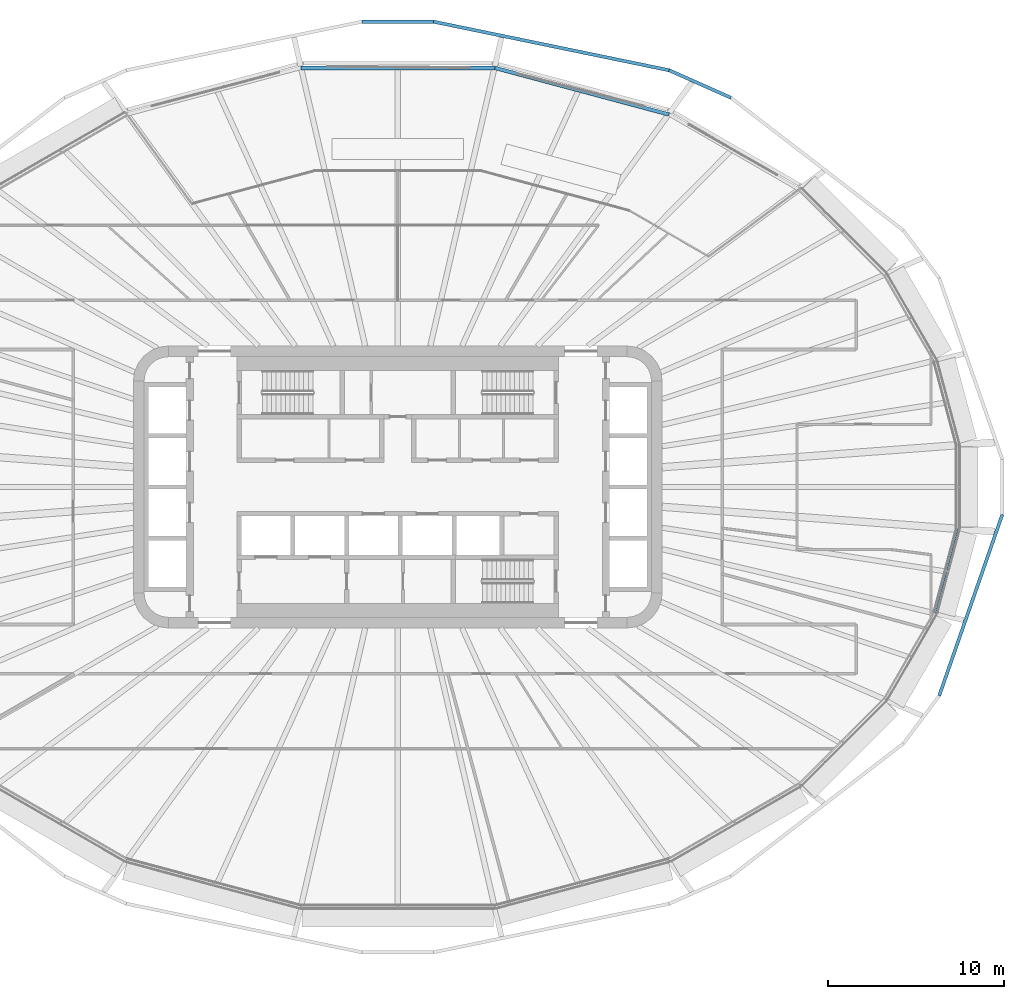
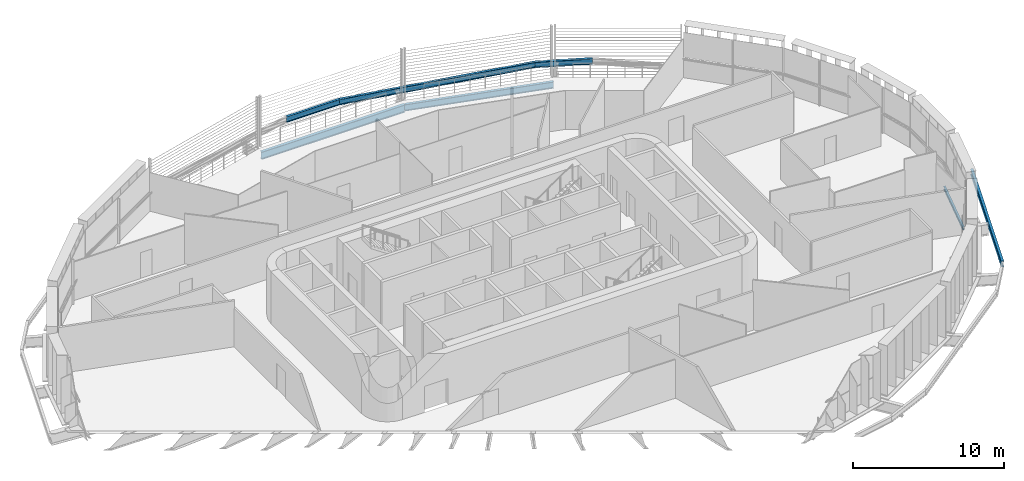
# One storey, part 10 of 24: 7 beams.
"""IFC4 building model written with IfcOpenShell, lengths in metres."""

from ifc_helpers import new_model, si_unit, direction, frame, origin, origin_2d, place, context, subcontext, project, spatial, i_section, extrude, material, material_profile, profile_set, type_object, element, save


model = new_model("IFC4")

# Units and contexts
model_context = context("Model", 3, precision=1e-05, world=origin(), true_north=direction((0.0, 1.0)))
body_context = subcontext(model_context, "Body", "Model", "MODEL_VIEW")
ifc_project = project(units=[si_unit("LENGTHUNIT", "METRE"), si_unit("AREAUNIT", "SQUARE_METRE"), si_unit("VOLUMEUNIT", "CUBIC_METRE"), si_unit("PLANEANGLEUNIT", "RADIAN"), si_unit("MASSUNIT", "GRAM", prefix="KILO")], contexts=[model_context])

# Site, building, storey
site_placement = place(None, origin())
site = spatial("IfcSite", under=ifc_project, at=site_placement, CompositionType="ELEMENT")
building_placement = place(site_placement, origin())
building = spatial("IfcBuilding", under=site, at=building_placement, Name="Sahrelin Media Tower", CompositionType="ELEMENT")
storey_placement = place(building_placement, frame((0.0, 0.0, 118.800048828125)))
storey = spatial("IfcBuildingStorey", under=building, at=storey_placement, Name="L23", CompositionType="ELEMENT", Elevation=118.800048828125)

# Beams
ifc_material = material(Name="Steel S355", Category="steel")
ifc_material_profile_1 = material_profile(ifc_material, i_section(OverallWidth=0.14599609375, OverallDepth=0.25146484375, WebThickness=0.006103515625, FlangeThickness=0.008544921875, FilletRadius=0.007568359375, at=origin_2d()), Name="UB 254x146x31")
ifc_profile_set_1 = profile_set([ifc_material_profile_1], Name="Steel S355")
beam_type_1 = type_object("IfcBeamType", Name="Edge beam EB1", PredefinedType="BEAM", material=ifc_profile_set_1)
beam_1_placement = place(storey_placement, frame((31.727783203125, -2.376708984375, -0.275634765625), z_axis=(-0.258784922699, -0.965934968714, 0.0), x_axis=(0.965934968714, -0.258784922699, 0.0)))
element("IfcBeam", 1, at=beam_1_placement, inside=storey, type_object=beam_type_1, Name="Edge beam L23-02", PredefinedType="BEAM", context=body_context, shape_type="SweptSolid", body=[
    extrude(i_section(OverallWidth=0.14599609375, OverallDepth=0.25146484375, WebThickness=0.006103515625, FlangeThickness=0.008544921875, FilletRadius=0.007568359375, at=origin_2d()), origin(), (0.0, 0.0, 1.0), 4.914306640625),
])
ifc_material_profile_2 = material_profile(ifc_material, i_section(OverallWidth=0.208740234375, OverallDepth=0.5283203125, WebThickness=0.009521484375, FlangeThickness=0.01318359375, FilletRadius=0.0126953125, at=origin_2d()), Name="UB 533x210x82")
ifc_profile_set_2 = profile_set([ifc_material_profile_2], Name="Steel S355")
beam_type_2 = type_object("IfcBeamType", Name="Edge beam EB6", PredefinedType="BEAM", material=ifc_profile_set_2)
beam_2_placement = place(storey_placement, frame((5.5146484375, 23.775146484375, -0.46435546875), z_axis=(0.965930023505, -0.258803380373, 0.0), x_axis=(0.258803380373, 0.965930023505, 0.0)))
element("IfcBeam", 2, at=beam_2_placement, inside=storey, type_object=beam_type_2, Name="Edge beam L23-20", PredefinedType="BEAM", context=body_context, shape_type="SweptSolid", body=[
    extrude(i_section(OverallWidth=0.208740234375, OverallDepth=0.5283203125, WebThickness=0.009521484375, FlangeThickness=0.01318359375, FilletRadius=0.0126953125, at=origin_2d()), origin(), (0.0, 0.0, 1.0), 10.215576171875),
])
ifc_material_profile_3 = material_profile(ifc_material, i_section(OverallWidth=0.2275390625, OverallDepth=0.6025390625, WebThickness=0.010498046875, FlangeThickness=0.014892578125, FilletRadius=0.0126953125, at=origin_2d()), Name="UB 610x229x101")
ifc_profile_set_3 = profile_set([ifc_material_profile_3], Name="Steel S355")
beam_type_3 = type_object("IfcBeamType", Name="Edge beam EB7", PredefinedType="BEAM", material=ifc_profile_set_3)
beam_3_placement = place(storey_placement, frame((-5.486083984375, 23.779052734375, -0.50146484375), z_axis=(1.0, 0.0, 0.0), x_axis=(0.0, 1.0, 0.0)))
element("IfcBeam", 3, at=beam_3_placement, inside=storey, type_object=beam_type_3, Name="Edge beam L23-19", PredefinedType="BEAM", context=body_context, shape_type="SweptSolid", body=[
    extrude(i_section(OverallWidth=0.2275390625, OverallDepth=0.6025390625, WebThickness=0.010498046875, FlangeThickness=0.014892578125, FilletRadius=0.0126953125, at=origin_2d()), origin(), (0.0, 0.0, 1.0), 10.97216796875),
])
ifc_material_profile_4 = material_profile(ifc_material, i_section(OverallWidth=0.1904296875, OverallDepth=0.45703125, WebThickness=0.009033203125, FlangeThickness=0.014404296875, FilletRadius=0.01025390625, at=origin_2d()), Name="UB 457x191x74")
ifc_profile_set_4 = profile_set([ifc_material_profile_4], Name="Steel S355")
beam_type_4 = type_object("IfcBeamType", Name="Tie chord TC5", PredefinedType="BEAM", material=ifc_profile_set_4)
beam_4_placement = place(storey_placement, frame((18.9033203125, 22.0791015625, -0.378662109375), z_axis=(-0.913827262531, 0.406103107911, 0.0), x_axis=(-0.406103107911, -0.913827262531, 0.0)))
element("IfcBeam", 4, at=beam_4_placement, inside=storey, type_object=beam_type_4, Name="Tie chord L23-04", PredefinedType="BEAM", context=body_context, shape_type="SweptSolid", body=[
    extrude(i_section(OverallWidth=0.1904296875, OverallDepth=0.45703125, WebThickness=0.009033203125, FlangeThickness=0.014404296875, FilletRadius=0.01025390625, at=origin_2d()), origin(), (0.0, 0.0, 1.0), 3.843994140625),
])
beam_5_placement = place(storey_placement, frame((15.390625, 23.64013671875, -0.378662109375), z_axis=(-0.979388276692, 0.20198664183, 0.0), x_axis=(-0.20198664183, -0.979388276692, 0.0)))
element("IfcBeam", 5, at=beam_5_placement, inside=storey, type_object=beam_type_4, Name="Tie chord L23-05", PredefinedType="BEAM", context=body_context, shape_type="SweptSolid", body=[
    extrude(i_section(OverallWidth=0.1904296875, OverallDepth=0.45703125, WebThickness=0.009033203125, FlangeThickness=0.014404296875, FilletRadius=0.01025390625, at=origin_2d()), origin(), (0.0, 0.0, 1.0), 13.643798828125),
])
beam_6_placement = place(storey_placement, frame((2.028076171875, 26.39599609375, -0.378662109375), z_axis=(-1.0, 0.0, 0.0), x_axis=(0.0, -1.0, 0.0)))
element("IfcBeam", 6, at=beam_6_placement, inside=storey, type_object=beam_type_4, Name="Tie chord L23-06", PredefinedType="BEAM", context=body_context, shape_type="SweptSolid", body=[
    extrude(i_section(OverallWidth=0.1904296875, OverallDepth=0.45703125, WebThickness=0.009033203125, FlangeThickness=0.014404296875, FilletRadius=0.01025390625, at=origin_2d()), origin(), (0.0, 0.0, 1.0), 4.05615234375),
])
beam_7_placement = place(storey_placement, frame((30.71337890625, -11.84619140625, -0.378662109375), z_axis=(0.328796235536, 0.944400887069, 0.0), x_axis=(-0.944400887069, 0.328796235536, 0.0)))
element("IfcBeam", 7, at=beam_7_placement, inside=storey, type_object=beam_type_4, Name="Tie chord L23-23", PredefinedType="BEAM", context=body_context, shape_type="SweptSolid", body=[
    extrude(i_section(OverallWidth=0.1904296875, OverallDepth=0.45703125, WebThickness=0.009033203125, FlangeThickness=0.014404296875, FilletRadius=0.01025390625, at=origin_2d()), origin(), (0.0, 0.0, 1.0), 10.890625),
])

save(model, "model.ifc")
